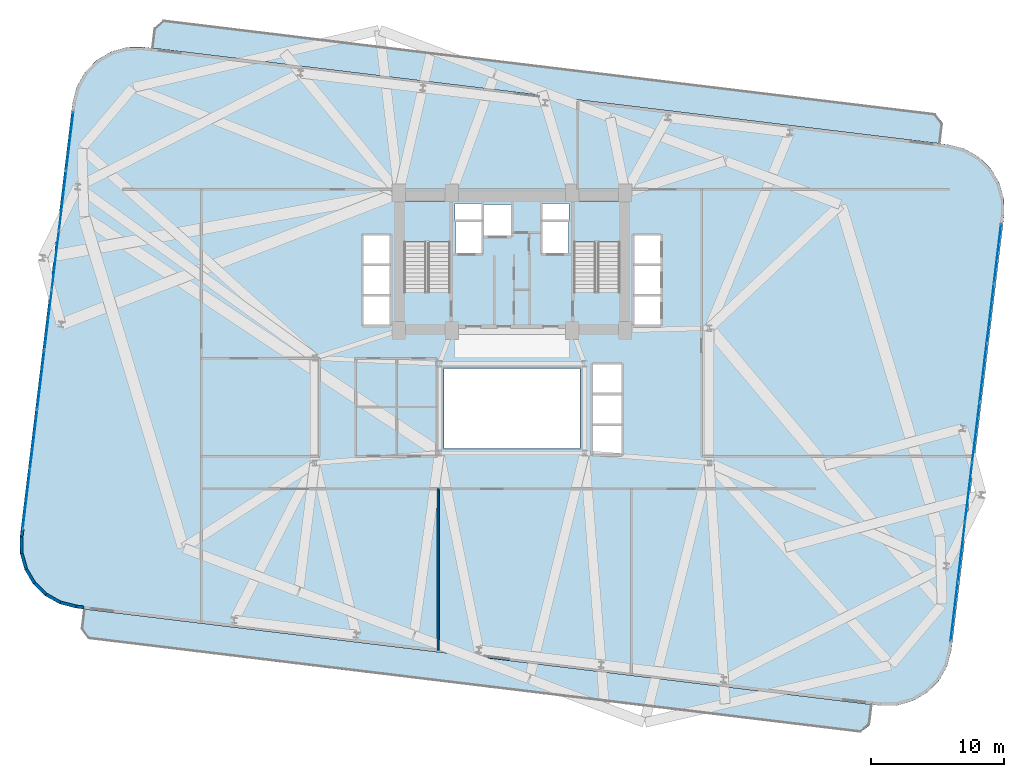
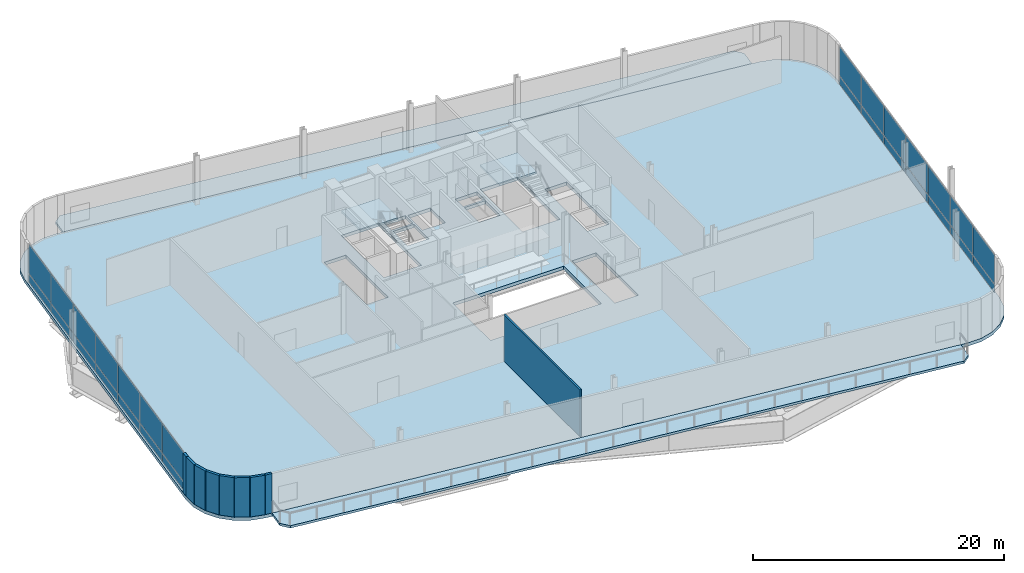
# One storey, part 15 of 22: 28 plates, 9 walls, 5 slabs, 4 elements without a shape of their own.
"""IFC4 building model written with IfcOpenShell, lengths in metres."""

from ifc_helpers import new_model, si_unit, direction, frame, frame_2d, origin, origin_2d, place, context, subcontext, project, spatial, polyline, rectangle, outline, extrude, source, transform, mapped, material, layer, layer_set, type_object, element, aggregate, save


model = new_model("IFC4")

# Units and contexts
model_context = context("Model", 3, precision=1e-05, world=origin(), true_north=direction((0.0, 1.0)))
body_context = subcontext(model_context, "Body", "Model", "MODEL_VIEW")
ifc_project = project(units=[si_unit("LENGTHUNIT", "METRE"), si_unit("AREAUNIT", "SQUARE_METRE"), si_unit("VOLUMEUNIT", "CUBIC_METRE"), si_unit("PLANEANGLEUNIT", "RADIAN"), si_unit("MASSUNIT", "GRAM", prefix="KILO")], contexts=[model_context])

# Site, building, storey
site_placement = place(None, origin())
site = spatial("IfcSite", under=ifc_project, at=site_placement, CompositionType="ELEMENT")
building_placement = place(site_placement, origin())
building = spatial("IfcBuilding", under=site, at=building_placement, Name="Varnelok Gate Tower", CompositionType="ELEMENT")
storey_placement = place(building_placement, frame((0.0, 0.0, 116.89990234375)))
storey = spatial("IfcBuildingStorey", under=building, at=storey_placement, Name="L29", CompositionType="ELEMENT", Elevation=116.89990234375)

# Stair, slab
ifc_material_1 = material(Name="Concrete C50/60", Category="concrete")
stair_type = type_object("IfcStairType", Name="STR-CORE-1650", PredefinedType="HALF_TURN_STAIR", material=ifc_material_1)
stair_1_placement = place(storey_placement, origin())
stair_1 = element("IfcStair", 1, at=stair_1_placement, inside=storey, type_object=stair_type, Name="L29 Exit Stair ST-1", PredefinedType="HALF_TURN_STAIR")
ifc_material_2 = material(Name="Concrete C45/55", Category="concrete")
ifc_layer_1 = layer(ifc_material_2, 0.199951171875)
ifc_layer_set_1 = layer_set([ifc_layer_1], Name="Concrete C45/55")
slab_type_1 = type_object("IfcSlabType", Name="SLB-LAND-200", PredefinedType="LANDING", material=ifc_layer_set_1)
slab_1_placement = place(storey_placement, frame((0.0, 0.0, 2.2001953125)))
slab_1 = element("IfcSlab", 2, at=slab_1_placement, type_object=slab_type_1, Name="ST-1 landing 1", PredefinedType="LANDING", context=body_context, shape_type="SweptSolid", body=[
    extrude(outline(polyline([(34.550048828125, 35.3701171875), (34.550048828125, 38.449951171875), (31.10009765625, 38.449951171875), (31.10009765625, 35.3701171875), (34.550048828125, 35.3701171875)])), origin(), (0.0, 0.0, 1.0), 0.199951171875),
])
aggregate(stair_1, [slab_1])

stair_2_placement = place(storey_placement, origin())
stair_2 = element("IfcStair", 3, at=stair_2_placement, inside=storey, type_object=stair_type, Name="L29 Exit Stair ST-2", PredefinedType="HALF_TURN_STAIR")
slab_2_placement = place(storey_placement, frame((0.0, 0.0, 2.2001953125)))
slab_2 = element("IfcSlab", 4, at=slab_2_placement, type_object=slab_type_1, Name="ST-2 landing 1", PredefinedType="LANDING", context=body_context, shape_type="SweptSolid", body=[
    extrude(outline(polyline([(47.300048828125, 35.3701171875), (47.300048828125, 38.449951171875), (43.85009765625, 38.449951171875), (43.85009765625, 35.3701171875), (47.300048828125, 35.3701171875)])), origin(), (0.0, 0.0, 1.0), 0.199951171875),
])
aggregate(stair_2, [slab_2])

# Slabs
ifc_layer_2 = layer(ifc_material_2, 0.22998046875)
ifc_layer_set_2 = layer_set([ifc_layer_2], Name="Concrete C45/55")
slab_type_2 = type_object("IfcSlabType", Name="SLB-SKYG-230", PredefinedType="FLOOR", material=ifc_layer_set_2)
slab_3_placement = place(storey_placement, frame((0.0, 0.0, -0.22998046875)))
element("IfcSlab", 5, at=slab_3_placement, inside=storey, type_object=slab_type_2, Name="L29 South Planted Sky Garden Terrace", PredefinedType="FLOOR", context=body_context, shape_type="SweptSolid", body=[
    extrude(outline(polyline([(6.878662109375, 6.301513671875), (7.44580078125, 5.578125), (65.322021484375, -1.43798828125), (66.045654296875, -0.870849609375), (66.232177734375, 0.667724609375), (7.065185546875, 7.84033203125), (6.878662109375, 6.301513671875)])), origin(), (0.0, 0.0, 1.0), 0.22998046875),
])
slab_4_placement = place(storey_placement, frame((0.0, 0.0, -0.22998046875)))
element("IfcSlab", 6, at=slab_4_placement, inside=storey, type_object=slab_type_2, Name="L29 North Planted Sky Garden Terrace", PredefinedType="FLOOR", context=body_context, shape_type="SweptSolid", body=[
    extrude(outline(polyline([(12.16796875, 49.93212890625), (71.334716796875, 42.759521484375), (71.521240234375, 44.29833984375), (70.9541015625, 45.02197265625), (13.077880859375, 52.0380859375), (12.3544921875, 51.470947265625), (12.16796875, 49.93212890625)])), origin(), (0.0, 0.0, 1.0), 0.22998046875),
])
ifc_material_3 = material(Name="Concrete C60/75", Category="concrete")
ifc_layer_3 = layer(ifc_material_3, 0.320068359375)
ifc_layer_set_3 = layer_set([ifc_layer_3], Name="Concrete C60/75")
slab_type_3 = type_object("IfcSlabType", Name="SLB-TRN-320", PredefinedType="FLOOR", material=ifc_layer_set_3)
slab_5_placement = place(storey_placement, frame((0.0, 0.0, -0.31982421875)))
element("IfcSlab", 7, at=slab_5_placement, inside=storey, type_object=slab_type_3, Name="L29 Structural Floor Slab", PredefinedType="FLOOR", context=body_context, shape_type="SweptSolid", body=[
    extrude(outline(polyline([(2.2822265625, 13.25537109375), (2.295166015625, 12.00244140625), (2.6318359375, 10.79541015625), (3.269287109375, 9.716796875), (4.16455078125, 8.83984375), (5.256103515625, 8.224609375), (6.469482421875, 7.91259765625), (66.82763671875, 0.595703125), (68.080810546875, 0.6083984375), (69.28759765625, 0.9453125), (70.366455078125, 1.582763671875), (71.243408203125, 2.477783203125), (71.858642578125, 3.569580078125), (72.17041015625, 4.783203125), (76.117919921875, 37.3447265625), (76.10498046875, 38.59765625), (75.768310546875, 39.8046875), (75.130615234375, 40.88330078125), (74.235595703125, 41.76025390625), (73.143798828125, 42.37548828125), (71.930419921875, 42.6875), (11.572265625, 50.00439453125), (10.3193359375, 49.991455078125), (9.1123046875, 49.65478515625), (8.03369140625, 49.01708984375), (7.15673828125, 48.1220703125), (6.54150390625, 47.030517578125), (6.2294921875, 45.81689453125), (2.2822265625, 13.25537109375)]), holes=[polyline([(34.550048828125, 31.679931640625), (34.550048828125, 38.449951171875), (31.10009765625, 38.449951171875), (31.10009765625, 31.679931640625), (34.550048828125, 31.679931640625)]), polyline([(47.300048828125, 31.679931640625), (47.300048828125, 38.449951171875), (43.85009765625, 38.449951171875), (43.85009765625, 31.679931640625), (47.300048828125, 31.679931640625)]), polyline([(34.949951171875, 34.550048828125), (36.89990234375, 34.550048828125), (36.89990234375, 36.89990234375), (34.949951171875, 36.89990234375), (34.949951171875, 34.550048828125)]), polyline([(41.5, 34.550048828125), (43.449951171875, 34.550048828125), (43.449951171875, 36.89990234375), (41.5, 36.89990234375), (41.5, 34.550048828125)]), polyline([(37.050048828125, 35.85009765625), (39.14990234375, 35.85009765625), (39.14990234375, 38.199951171875), (37.050048828125, 38.199951171875), (37.050048828125, 35.85009765625)]), polyline([(28.050048828125, 29.14990234375), (30.050048828125, 29.14990234375), (30.050048828125, 35.89990234375), (28.050048828125, 35.89990234375), (28.050048828125, 29.14990234375)]), polyline([(48.35009765625, 29.14990234375), (50.35009765625, 29.14990234375), (50.35009765625, 35.89990234375), (48.35009765625, 35.89990234375), (48.35009765625, 29.14990234375)]), polyline([(45.25, 19.449951171875), (47.449951171875, 19.449951171875), (47.449951171875, 26.199951171875), (45.25, 26.199951171875), (45.25, 19.449951171875)]), polyline([(34.919921875, 37.080078125), (36.89990234375, 37.080078125), (36.89990234375, 38.280029296875), (34.919921875, 38.280029296875), (34.919921875, 37.080078125)]), polyline([(41.5, 37.080078125), (43.47998046875, 37.080078125), (43.47998046875, 38.280029296875), (41.5, 38.280029296875), (41.5, 37.080078125)]), polyline([(34.10009765625, 19.89990234375), (44.300048828125, 19.89990234375), (44.300048828125, 25.89990234375), (34.10009765625, 25.89990234375), (34.10009765625, 19.89990234375)])]), origin(), (0.0, 0.0, 1.0), 0.31982421875),
])

# Curtain wall, plates
ifc_material_4 = material(Name="Anodized Aluminum Alloy 6063-T6", Category="aluminium")
ifc_layer_4 = layer(ifc_material_4, 0.179931640625)
ifc_layer_set_4 = layer_set([ifc_layer_4], Name="Anodized Aluminum Alloy 6063-T6")
curtain_wall_type = type_object("IfcCurtainWallType", Name="CW2-ATRIUM-GLAZING", PredefinedType="USERDEFINED", material=ifc_layer_set_4)
curtain_wall_1_placement = place(storey_placement, origin())
curtain_wall_1 = element("IfcCurtainWall", 8, at=curtain_wall_1_placement, inside=storey, type_object=curtain_wall_type, Name="L29 West End Vision Curtain Wall", ObjectType="UNITISED CURTAIN WALL", PredefinedType="USERDEFINED")
ifc_material_5 = material(Name="Low-E Laminated Double Glazing IGU", Category="glass")
ifc_layer_5 = layer(ifc_material_5, 0.031982421875)
ifc_layer_set_5 = layer_set([ifc_layer_5], Name="Low-E Laminated Double Glazing IGU")
plate_type = type_object("IfcPlateType", Name="CW-PNL-IGU32", PredefinedType="CURTAIN_PANEL", material=ifc_layer_set_5)
shared_shape_1 = source(origin(), body_context, "Body", "SweptSolid", [
    extrude(rectangle(XDim=4.40185546875, YDim=0.031982421875, at=origin_2d()), origin(), (0.0, 0.0, 1.0), 0.78759765625),
])
plate_1_placement = place(storey_placement, frame((2.767333984375, 16.093505859375, 0.074951171875), z_axis=(0.0, 0.0, 1.0), x_axis=(0.120344692987, 0.992732166735, 0.0)))
plate_1 = element("IfcPlate", 9, at=plate_1_placement, type_object=plate_type, Name="CW2 panel 1.1", PredefinedType="CURTAIN_PANEL", context=body_context, shape_type="MappedRepresentation", body=[
    mapped(shared_shape_1, transform((0.0, 0.0, 0.0), scale=1.0)),
])
plate_2_placement = place(storey_placement, frame((6.0224609375, 42.945068359375, 0.074951171875), z_axis=(0.0, 0.0, 1.0), x_axis=(0.120344692987, 0.992732166735, 0.0)))
plate_2 = element("IfcPlate", 10, at=plate_2_placement, type_object=plate_type, Name="CW2 panel 7.1", PredefinedType="CURTAIN_PANEL", context=body_context, shape_type="MappedRepresentation", body=[
    mapped(shared_shape_1, transform((0.0, 0.0, 0.0), scale=1.0)),
])

curtain_wall_2_placement = place(storey_placement, origin())
curtain_wall_2 = element("IfcCurtainWall", 11, at=curtain_wall_2_placement, inside=storey, type_object=curtain_wall_type, Name="L29 East End Vision Curtain Wall", ObjectType="UNITISED CURTAIN WALL", PredefinedType="USERDEFINED")
plate_3_placement = place(storey_placement, frame((75.6328125, 34.506591796875, 0.074951171875), z_axis=(0.0, 0.0, 1.0), x_axis=(-0.120344692987, -0.992732166735, 0.0)))
plate_3 = element("IfcPlate", 12, at=plate_3_placement, type_object=plate_type, Name="CW2 panel 1.1", PredefinedType="CURTAIN_PANEL", context=body_context, shape_type="MappedRepresentation", body=[
    mapped(shared_shape_1, transform((0.0, 0.0, 0.0), scale=1.0)),
])
plate_4_placement = place(storey_placement, frame((72.377685546875, 7.65478515625, 0.074951171875), z_axis=(0.0, 0.0, 1.0), x_axis=(-0.120344692987, -0.992732166735, 0.0)))
plate_4 = element("IfcPlate", 13, at=plate_4_placement, type_object=plate_type, Name="CW2 panel 7.1", PredefinedType="CURTAIN_PANEL", context=body_context, shape_type="MappedRepresentation", body=[
    mapped(shared_shape_1, transform((0.0, 0.0, 0.0), scale=1.0)),
])

# Plate
shared_shape_2 = source(origin(), body_context, "Body", "SweptSolid", [
    extrude(rectangle(XDim=4.40185546875, YDim=0.031982421875, at=origin_2d()), origin(), (0.0, 0.0, 1.0), 2.8173828125),
])
plate_5_placement = place(storey_placement, frame((2.767333984375, 16.093505859375, 0.937744140625), z_axis=(0.0, 0.0, 1.0), x_axis=(0.120344692987, 0.992732166735, 0.0)))
plate_5 = element("IfcPlate", 14, at=plate_5_placement, type_object=plate_type, Name="CW2 panel 1.2", PredefinedType="CURTAIN_PANEL", context=body_context, shape_type="MappedRepresentation", body=[
    mapped(shared_shape_2, transform((0.0, 0.0, 0.0), scale=1.0)),
])

plate_6_placement = place(storey_placement, frame((6.0224609375, 42.945068359375, 0.937744140625), z_axis=(0.0, 0.0, 1.0), x_axis=(0.120344692987, 0.992732166735, 0.0)))
plate_6 = element("IfcPlate", 15, at=plate_6_placement, type_object=plate_type, Name="CW2 panel 7.2", PredefinedType="CURTAIN_PANEL", context=body_context, shape_type="MappedRepresentation", body=[
    mapped(shared_shape_2, transform((0.0, 0.0, 0.0), scale=1.0)),
])

plate_7_placement = place(storey_placement, frame((75.6328125, 34.506591796875, 0.937744140625), z_axis=(0.0, 0.0, 1.0), x_axis=(-0.120344692987, -0.992732166735, 0.0)))
plate_7 = element("IfcPlate", 16, at=plate_7_placement, type_object=plate_type, Name="CW2 panel 1.2", PredefinedType="CURTAIN_PANEL", context=body_context, shape_type="MappedRepresentation", body=[
    mapped(shared_shape_2, transform((0.0, 0.0, 0.0), scale=1.0)),
])

plate_8_placement = place(storey_placement, frame((72.377685546875, 7.65478515625, 0.937744140625), z_axis=(0.0, 0.0, 1.0), x_axis=(-0.120344692987, -0.992732166735, 0.0)))
plate_8 = element("IfcPlate", 17, at=plate_8_placement, type_object=plate_type, Name="CW2 panel 7.2", PredefinedType="CURTAIN_PANEL", context=body_context, shape_type="MappedRepresentation", body=[
    mapped(shared_shape_2, transform((0.0, 0.0, 0.0), scale=1.0)),
])

shared_shape_3 = source(origin(), body_context, "Body", "SweptSolid", [
    extrude(rectangle(XDim=4.439208984375, YDim=0.031982421875, at=origin_2d()), origin(), (0.0, 0.0, 1.0), 0.78759765625),
])
plate_9_placement = place(storey_placement, frame((3.308349609375, 20.556396484375, 0.074951171875), z_axis=(0.0, 0.0, 1.0), x_axis=(0.120344692987, 0.992732166735, 0.0)))
plate_9 = element("IfcPlate", 18, at=plate_9_placement, type_object=plate_type, Name="CW2 panel 2.1", PredefinedType="CURTAIN_PANEL", context=body_context, shape_type="MappedRepresentation", body=[
    mapped(shared_shape_3, transform((0.0, 0.0, 0.0), scale=1.0)),
])

plate_10_placement = place(storey_placement, frame((3.8515625, 25.037841796875, 0.074951171875), z_axis=(0.0, 0.0, 1.0), x_axis=(0.120344692987, 0.992732166735, 0.0)))
plate_10 = element("IfcPlate", 19, at=plate_10_placement, type_object=plate_type, Name="CW2 panel 3.1", PredefinedType="CURTAIN_PANEL", context=body_context, shape_type="MappedRepresentation", body=[
    mapped(shared_shape_3, transform((0.0, 0.0, 0.0), scale=1.0)),
])

plate_11_placement = place(storey_placement, frame((4.394775390625, 29.519287109375, 0.074951171875), z_axis=(0.0, 0.0, 1.0), x_axis=(0.120344692987, 0.992732166735, 0.0)))
plate_11 = element("IfcPlate", 20, at=plate_11_placement, type_object=plate_type, Name="CW2 panel 4.1", PredefinedType="CURTAIN_PANEL", context=body_context, shape_type="MappedRepresentation", body=[
    mapped(shared_shape_3, transform((0.0, 0.0, 0.0), scale=1.0)),
])

plate_12_placement = place(storey_placement, frame((4.938232421875, 34.000732421875, 0.074951171875), z_axis=(0.0, 0.0, 1.0), x_axis=(0.120344692987, 0.992732166735, 0.0)))
plate_12 = element("IfcPlate", 21, at=plate_12_placement, type_object=plate_type, Name="CW2 panel 5.1", PredefinedType="CURTAIN_PANEL", context=body_context, shape_type="MappedRepresentation", body=[
    mapped(shared_shape_3, transform((0.0, 0.0, 0.0), scale=1.0)),
])

plate_13_placement = place(storey_placement, frame((5.4814453125, 38.482177734375, 0.074951171875), z_axis=(0.0, 0.0, 1.0), x_axis=(0.120344692987, 0.992732166735, 0.0)))
plate_13 = element("IfcPlate", 22, at=plate_13_placement, type_object=plate_type, Name="CW2 panel 6.1", PredefinedType="CURTAIN_PANEL", context=body_context, shape_type="MappedRepresentation", body=[
    mapped(shared_shape_3, transform((0.0, 0.0, 0.0), scale=1.0)),
])

plate_14_placement = place(storey_placement, frame((75.091796875, 30.043701171875, 0.074951171875), z_axis=(0.0, 0.0, 1.0), x_axis=(-0.120344692987, -0.992732166735, 0.0)))
plate_14 = element("IfcPlate", 23, at=plate_14_placement, type_object=plate_type, Name="CW2 panel 2.1", PredefinedType="CURTAIN_PANEL", context=body_context, shape_type="MappedRepresentation", body=[
    mapped(shared_shape_3, transform((0.0, 0.0, 0.0), scale=1.0)),
])

plate_15_placement = place(storey_placement, frame((74.54833984375, 25.562255859375, 0.074951171875), z_axis=(0.0, 0.0, 1.0), x_axis=(-0.120344692987, -0.992732166735, 0.0)))
plate_15 = element("IfcPlate", 24, at=plate_15_placement, type_object=plate_type, Name="CW2 panel 3.1", PredefinedType="CURTAIN_PANEL", context=body_context, shape_type="MappedRepresentation", body=[
    mapped(shared_shape_3, transform((0.0, 0.0, 0.0), scale=1.0)),
])

plate_16_placement = place(storey_placement, frame((74.005126953125, 21.080810546875, 0.074951171875), z_axis=(0.0, 0.0, 1.0), x_axis=(-0.120344692987, -0.992732166735, 0.0)))
plate_16 = element("IfcPlate", 25, at=plate_16_placement, type_object=plate_type, Name="CW2 panel 4.1", PredefinedType="CURTAIN_PANEL", context=body_context, shape_type="MappedRepresentation", body=[
    mapped(shared_shape_3, transform((0.0, 0.0, 0.0), scale=1.0)),
])

plate_17_placement = place(storey_placement, frame((73.4619140625, 16.59912109375, 0.074951171875), z_axis=(0.0, 0.0, 1.0), x_axis=(-0.120344692987, -0.992732166735, 0.0)))
plate_17 = element("IfcPlate", 26, at=plate_17_placement, type_object=plate_type, Name="CW2 panel 5.1", PredefinedType="CURTAIN_PANEL", context=body_context, shape_type="MappedRepresentation", body=[
    mapped(shared_shape_3, transform((0.0, 0.0, 0.0), scale=1.0)),
])

plate_18_placement = place(storey_placement, frame((72.918701171875, 12.11767578125, 0.074951171875), z_axis=(0.0, 0.0, 1.0), x_axis=(-0.120344692987, -0.992732166735, 0.0)))
plate_18 = element("IfcPlate", 27, at=plate_18_placement, type_object=plate_type, Name="CW2 panel 6.1", PredefinedType="CURTAIN_PANEL", context=body_context, shape_type="MappedRepresentation", body=[
    mapped(shared_shape_3, transform((0.0, 0.0, 0.0), scale=1.0)),
])

shared_shape_4 = source(origin(), body_context, "Body", "SweptSolid", [
    extrude(rectangle(XDim=4.439208984375, YDim=0.031982421875, at=origin_2d()), origin(), (0.0, 0.0, 1.0), 2.8173828125),
])
plate_19_placement = place(storey_placement, frame((3.308349609375, 20.556396484375, 0.937744140625), z_axis=(0.0, 0.0, 1.0), x_axis=(0.120344692987, 0.992732166735, 0.0)))
plate_19 = element("IfcPlate", 28, at=plate_19_placement, type_object=plate_type, Name="CW2 panel 2.2", PredefinedType="CURTAIN_PANEL", context=body_context, shape_type="MappedRepresentation", body=[
    mapped(shared_shape_4, transform((0.0, 0.0, 0.0), scale=1.0)),
])

plate_20_placement = place(storey_placement, frame((3.8515625, 25.037841796875, 0.937744140625), z_axis=(0.0, 0.0, 1.0), x_axis=(0.120344692987, 0.992732166735, 0.0)))
plate_20 = element("IfcPlate", 29, at=plate_20_placement, type_object=plate_type, Name="CW2 panel 3.2", PredefinedType="CURTAIN_PANEL", context=body_context, shape_type="MappedRepresentation", body=[
    mapped(shared_shape_4, transform((0.0, 0.0, 0.0), scale=1.0)),
])

plate_21_placement = place(storey_placement, frame((4.394775390625, 29.519287109375, 0.937744140625), z_axis=(0.0, 0.0, 1.0), x_axis=(0.120344692987, 0.992732166735, 0.0)))
plate_21 = element("IfcPlate", 30, at=plate_21_placement, type_object=plate_type, Name="CW2 panel 4.2", PredefinedType="CURTAIN_PANEL", context=body_context, shape_type="MappedRepresentation", body=[
    mapped(shared_shape_4, transform((0.0, 0.0, 0.0), scale=1.0)),
])

plate_22_placement = place(storey_placement, frame((4.938232421875, 34.000732421875, 0.937744140625), z_axis=(0.0, 0.0, 1.0), x_axis=(0.120344692987, 0.992732166735, 0.0)))
plate_22 = element("IfcPlate", 31, at=plate_22_placement, type_object=plate_type, Name="CW2 panel 5.2", PredefinedType="CURTAIN_PANEL", context=body_context, shape_type="MappedRepresentation", body=[
    mapped(shared_shape_4, transform((0.0, 0.0, 0.0), scale=1.0)),
])

plate_23_placement = place(storey_placement, frame((5.4814453125, 38.482177734375, 0.937744140625), z_axis=(0.0, 0.0, 1.0), x_axis=(0.120344692987, 0.992732166735, 0.0)))
plate_23 = element("IfcPlate", 32, at=plate_23_placement, type_object=plate_type, Name="CW2 panel 6.2", PredefinedType="CURTAIN_PANEL", context=body_context, shape_type="MappedRepresentation", body=[
    mapped(shared_shape_4, transform((0.0, 0.0, 0.0), scale=1.0)),
])

aggregate(curtain_wall_1, [plate_1, plate_5, plate_9, plate_19, plate_10, plate_20, plate_11, plate_21, plate_12, plate_22, plate_13, plate_23, plate_2, plate_6])

plate_24_placement = place(storey_placement, frame((75.091796875, 30.043701171875, 0.937744140625), z_axis=(0.0, 0.0, 1.0), x_axis=(-0.120344692987, -0.992732166735, 0.0)))
plate_24 = element("IfcPlate", 33, at=plate_24_placement, type_object=plate_type, Name="CW2 panel 2.2", PredefinedType="CURTAIN_PANEL", context=body_context, shape_type="MappedRepresentation", body=[
    mapped(shared_shape_4, transform((0.0, 0.0, 0.0), scale=1.0)),
])

plate_25_placement = place(storey_placement, frame((74.54833984375, 25.562255859375, 0.937744140625), z_axis=(0.0, 0.0, 1.0), x_axis=(-0.120344692987, -0.992732166735, 0.0)))
plate_25 = element("IfcPlate", 34, at=plate_25_placement, type_object=plate_type, Name="CW2 panel 3.2", PredefinedType="CURTAIN_PANEL", context=body_context, shape_type="MappedRepresentation", body=[
    mapped(shared_shape_4, transform((0.0, 0.0, 0.0), scale=1.0)),
])

plate_26_placement = place(storey_placement, frame((74.005126953125, 21.080810546875, 0.937744140625), z_axis=(0.0, 0.0, 1.0), x_axis=(-0.120344692987, -0.992732166735, 0.0)))
plate_26 = element("IfcPlate", 35, at=plate_26_placement, type_object=plate_type, Name="CW2 panel 4.2", PredefinedType="CURTAIN_PANEL", context=body_context, shape_type="MappedRepresentation", body=[
    mapped(shared_shape_4, transform((0.0, 0.0, 0.0), scale=1.0)),
])

plate_27_placement = place(storey_placement, frame((73.4619140625, 16.59912109375, 0.937744140625), z_axis=(0.0, 0.0, 1.0), x_axis=(-0.120344692987, -0.992732166735, 0.0)))
plate_27 = element("IfcPlate", 36, at=plate_27_placement, type_object=plate_type, Name="CW2 panel 5.2", PredefinedType="CURTAIN_PANEL", context=body_context, shape_type="MappedRepresentation", body=[
    mapped(shared_shape_4, transform((0.0, 0.0, 0.0), scale=1.0)),
])

plate_28_placement = place(storey_placement, frame((72.918701171875, 12.11767578125, 0.937744140625), z_axis=(0.0, 0.0, 1.0), x_axis=(-0.120344692987, -0.992732166735, 0.0)))
plate_28 = element("IfcPlate", 37, at=plate_28_placement, type_object=plate_type, Name="CW2 panel 6.2", PredefinedType="CURTAIN_PANEL", context=body_context, shape_type="MappedRepresentation", body=[
    mapped(shared_shape_4, transform((0.0, 0.0, 0.0), scale=1.0)),
])

aggregate(curtain_wall_2, [plate_3, plate_7, plate_14, plate_24, plate_15, plate_25, plate_16, plate_26, plate_17, plate_27, plate_18, plate_28, plate_4, plate_8])

# Walls
ifc_layer_6 = layer(ifc_material_2, 0.219970703125)
ifc_layer_set_6 = layer_set([ifc_layer_6], Name="Concrete C45/55")
wall_type_1 = type_object("IfcWallType", Name="EW-BALC-220", PredefinedType="SOLIDWALL", material=ifc_layer_set_6)
wall_1_placement = place(storey_placement, frame((2.40234375, 13.248779296875, 0.0), z_axis=(0.0, 0.0, 1.0), x_axis=(0.010126565722, -0.999948725019, 0.0)))
element("IfcWall", 38, at=wall_1_placement, inside=storey, type_object=wall_type_1, Name="L29 Perimeter Facade Closure Wall 1", PredefinedType="SOLIDWALL", context=body_context, shape_type="SweptSolid", body=[
    extrude(rectangle(XDim=1.2294921875, YDim=0.219970703125, at=frame_2d((0.61474609375, 0.0))), origin(), (0.0, 0.0, 1.0), 3.830078125),
])
for number, where, z_axis, x_axis, name in (
    (39, (2.421630859375, 11.995361328125, 0.0), (0.0, 0.0, 1.0), (0.268759341475, -0.963207358968, 0.0), "L29 Perimeter Facade Closure Wall 2"),
    (40, (2.755859375, 10.8212890625, 0.0), (0.0, 0.0, 1.0), (0.508963057695, -0.860788363015, 0.0), "L29 Perimeter Facade Closure Wall 3"),
):
    element("IfcWall", number, at=place(storey_placement, frame(where, z_axis=z_axis, x_axis=x_axis)), inside=storey, type_object=wall_type_1, Name=name, PredefinedType="SOLIDWALL", context=body_context, shape_type="SweptSolid", body=[
        extrude(rectangle(XDim=1.1962890625, YDim=0.219970703125, at=frame_2d((0.59814453125, 0.0))), origin(), (0.0, 0.0, 1.0), 3.830078125),
    ])
wall_2_placement = place(storey_placement, frame((3.382568359375, 9.77392578125, 0.0), z_axis=(0.0, 0.0, 1.0), x_axis=(0.714312786687, -0.699826580501, 0.0)))
element("IfcWall", 41, at=wall_2_placement, inside=storey, type_object=wall_type_1, Name="L29 Perimeter Facade Closure Wall 4", PredefinedType="SOLIDWALL", context=body_context, shape_type="SweptSolid", body=[
    extrude(rectangle(XDim=1.196533203125, YDim=0.219970703125, at=frame_2d((0.59814453125, 0.0))), origin(), (0.0, 0.0, 1.0), 3.830078125),
])
wall_3_placement = place(storey_placement, frame((4.259033203125, 8.92431640625, 0.0), z_axis=(0.0, 0.0, 1.0), x_axis=(0.871166492575, -0.490987721043, 0.0)))
element("IfcWall", 42, at=wall_3_placement, inside=storey, type_object=wall_type_1, Name="L29 Perimeter Facade Closure Wall 5", PredefinedType="SOLIDWALL", context=body_context, shape_type="SweptSolid", body=[
    extrude(rectangle(XDim=1.1962890625, YDim=0.219970703125, at=frame_2d((0.59814453125, 0.0))), origin(), (0.0, 0.0, 1.0), 3.830078125),
])
wall_4_placement = place(storey_placement, frame((5.325439453125, 8.33056640625, 0.0), z_axis=(0.0, 0.0, 1.0), x_axis=(0.968523656889, -0.248921525881, 0.0)))
element("IfcWall", 43, at=wall_4_placement, inside=storey, type_object=wall_type_1, Name="L29 Perimeter Facade Closure Wall 6", PredefinedType="SOLIDWALL", context=body_context, shape_type="SweptSolid", body=[
    extrude(rectangle(XDim=1.204345703125, YDim=0.219970703125, at=frame_2d((0.60205078125, 0.0))), origin(), (0.0, 0.0, 1.0), 3.830078125),
])
wall_5_placement = place(storey_placement, frame((6.5166015625, 8.02783203125, 0.0), z_axis=(0.0, 0.0, 1.0), x_axis=(0.992708827393, -0.120537064905, 0.0)))
element("IfcWall", 44, at=wall_5_placement, inside=storey, type_object=wall_type_1, Name="L29 Perimeter Facade Closure Wall 7", PredefinedType="SOLIDWALL", context=body_context, shape_type="SweptSolid", body=[
    extrude(rectangle(XDim=0.567138671875, YDim=0.219970703125, at=frame_2d((0.28369140625, 0.0))), origin(), (0.0, 0.0, 1.0), 3.830078125),
])
wall_6_placement = place(storey_placement, frame((2.474609375, 13.846435546875, 0.0), z_axis=(0.0, 0.0, 1.0), x_axis=(-0.120129248388, -0.992758260445, 0.0)))
element("IfcWall", 45, at=wall_6_placement, inside=storey, type_object=wall_type_1, Name="L29 Perimeter Facade Closure Wall 32", PredefinedType="SOLIDWALL", context=body_context, shape_type="SweptSolid", body=[
    extrude(rectangle(XDim=0.5771484375, YDim=0.219970703125, at=frame_2d((0.28857421875, 0.0))), origin(), (0.0, 0.0, 1.0), 3.830078125),
])
ifc_material_6 = material(Name="Gypsum Plasterboard Acoustic Partition", Category="gypsum")
ifc_layer_7 = layer(ifc_material_6, 0.14990234375)
ifc_layer_set_7 = layer_set([ifc_layer_7], Name="Gypsum Plasterboard Acoustic Partition")
wall_type_2 = type_object("IfcWallType", Name="PW-PART-150", PredefinedType="PARTITIONING", material=ifc_layer_set_7)
wall_7_placement = place(storey_placement, frame((33.64990234375, 4.758544921875, 0.0), z_axis=(0.0, 0.0, 1.0), x_axis=(0.0, 1.0, 0.0)))
element("IfcWall", 46, at=wall_7_placement, inside=storey, type_object=wall_type_2, Name="Interior Partition", PredefinedType="PARTITIONING", context=body_context, shape_type="SweptSolid", body=[
    extrude(rectangle(XDim=12.091552734375, YDim=0.14990234375, at=frame_2d((6.0458984375, 0.0))), origin(), (0.0, 0.0, 1.0), 4.550048828125),
])

save(model, "model.ifc")
